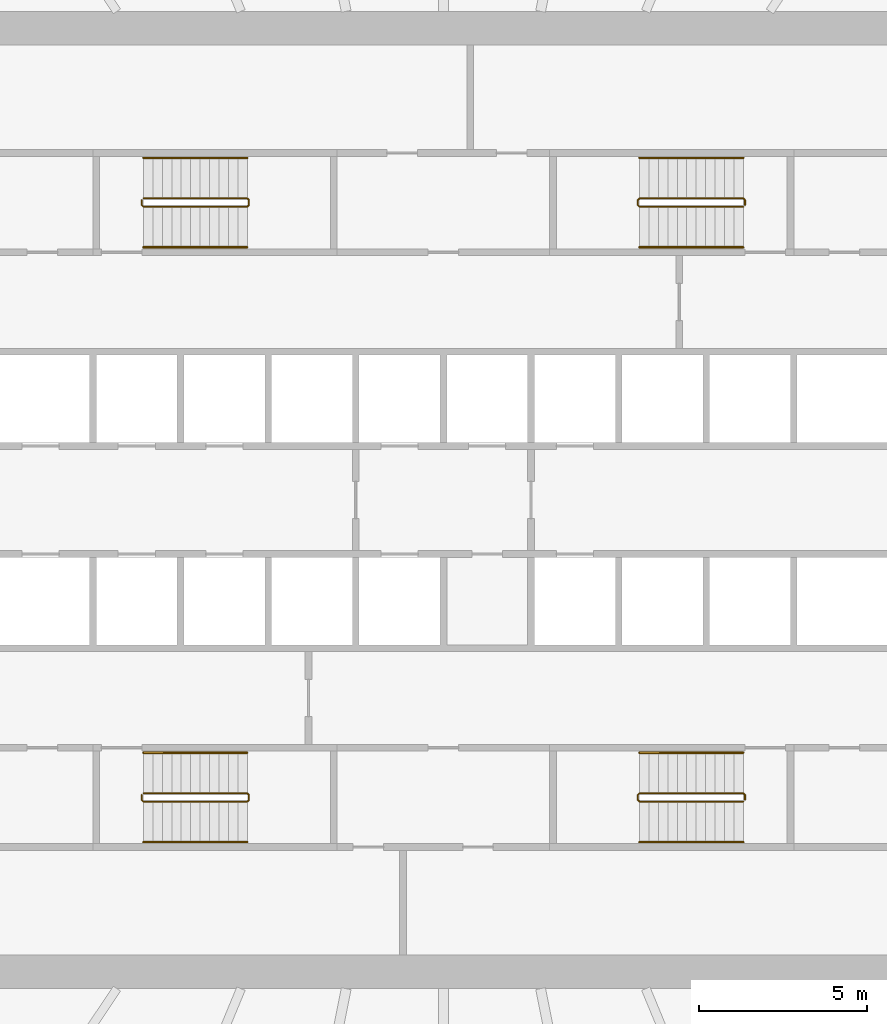
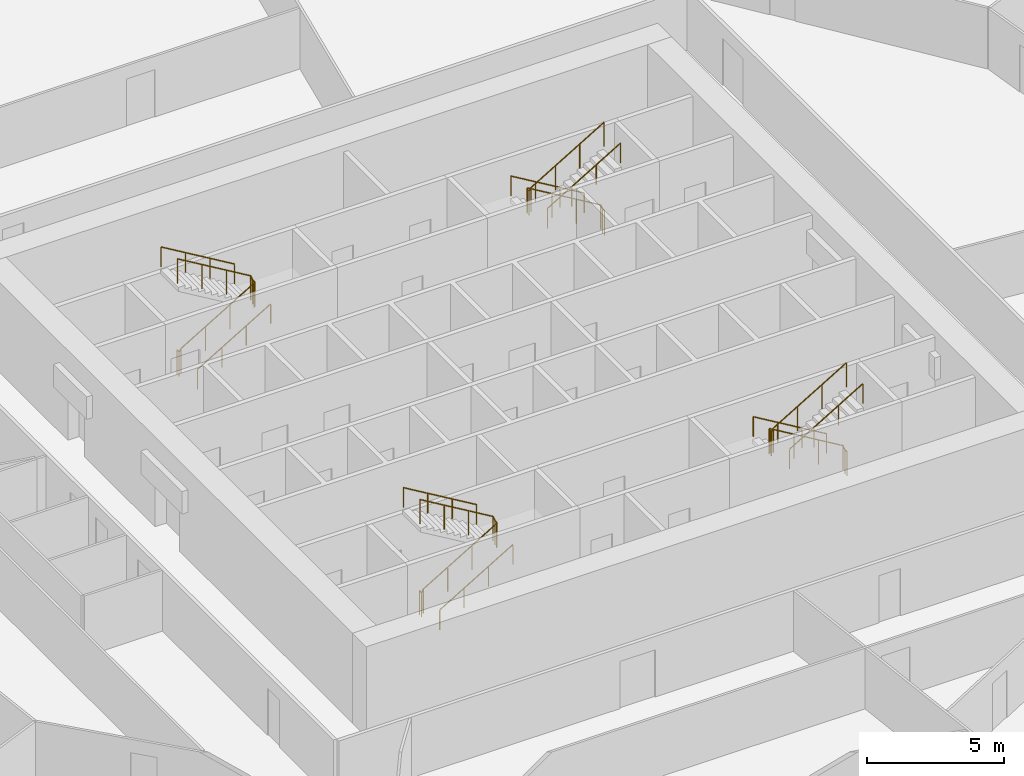
# One storey, part 9 of 9: 12 railings.
"""IFC4 building model written with IfcOpenShell, lengths in metres."""

from ifc_helpers import new_model, si_unit, direction, frame, origin, origin_2d, place, context, subcontext, project, spatial, circle, extrude, material, type_object, element, save


model = new_model("IFC4")

# Units and contexts
model_context = context("Model", 3, precision=1e-05, world=origin(), true_north=direction((0.0, 1.0)))
body_context = subcontext(model_context, "Body", "Model", "MODEL_VIEW")
ifc_project = project(units=[si_unit("LENGTHUNIT", "METRE"), si_unit("AREAUNIT", "SQUARE_METRE"), si_unit("VOLUMEUNIT", "CUBIC_METRE"), si_unit("PLANEANGLEUNIT", "RADIAN"), si_unit("MASSUNIT", "GRAM", prefix="KILO")], contexts=[model_context])

# Site, building, storey
site_placement = place(None, origin())
site = spatial("IfcSite", under=ifc_project, at=site_placement, CompositionType="ELEMENT")
building_placement = place(site_placement, origin())
building = spatial("IfcBuilding", under=site, at=building_placement, Name="Corvane Civic Tower", CompositionType="ELEMENT")
storey_placement = place(building_placement, frame((0.0, 0.0, 98.5)))
storey = spatial("IfcBuildingStorey", under=building, at=storey_placement, Name="L22", CompositionType="ELEMENT", Elevation=98.5)

# Railings
ifc_material_1 = material(Name="Steel ASTM A572 Gr 50", Category="steel")
railing_type_1 = type_object("IfcRailingType", Name="ST-GUARD-1100", PredefinedType="GUARDRAIL", material=ifc_material_1)
railing_1_placement = place(storey_placement, frame((8.949951171875, 8.75, 0.0)))
element("IfcRailing", 1, at=railing_1_placement, inside=storey, type_object=railing_type_1, Name="L22 ST1 stair guard 1", PredefinedType="GUARDRAIL", context=body_context, shape_type="SweptSolid", body=[
    extrude(circle(Radius=0.02392578125, at=origin_2d()), frame((0.0, 0.0, 1.076171875), z_axis=(0.0, 1.0, 0.0), x_axis=(-1.0, 0.0, 0.0)), (0.0, 0.0, 1.0), 0.14990234375),
    extrude(circle(Radius=0.02392578125, at=origin_2d()), frame((0.0, 0.14990234375, 1.076171875), z_axis=(-0.27628659633, 0.27628659633, 0.920506074601), x_axis=(-0.707106781187, -0.707106781187, 0.0)), (0.0, 0.0, 1.0), 0.18115234375),
    extrude(circle(Radius=0.02392578125, at=origin_2d()), frame((-0.050048828125, 0.199951171875, 1.24267578125), z_axis=(-0.859290745958, 0.0, 0.51148745235), x_axis=(0.0, -1.0, 0.0)), (0.0, 0.0, 1.0), 3.584228515625),
    extrude(circle(Radius=0.02392578125, at=origin_2d()), frame((-3.1298828125, 0.199951171875, 3.076171875), z_axis=(-0.707106781187, -0.707106781187, 0.0), x_axis=(0.707106781187, -0.707106781187, 0.0)), (0.0, 0.0, 1.0), 0.07080078125),
    extrude(circle(Radius=0.02392578125, at=origin_2d()), frame((-3.179931640625, 0.14990234375, 3.076171875), z_axis=(0.0, -1.0, 0.0), x_axis=(1.0, 0.0, 0.0)), (0.0, 0.0, 1.0), 0.14990234375),
    extrude(circle(Radius=0.02392578125, at=origin_2d()), frame((-3.179931640625, 0.0, 3.076171875), z_axis=(0.27628659633, -0.27628659633, 0.920506074601), x_axis=(0.707106781187, 0.707106781187, 0.0)), (0.0, 0.0, 1.0), 0.18115234375),
    extrude(circle(Radius=0.02392578125, at=origin_2d()), frame((-3.1298828125, -0.050048828125, 3.24267578125), z_axis=(0.859290745958, 0.0, 0.51148745235), x_axis=(0.0, 1.0, 0.0)), (0.0, 0.0, 1.0), 3.584228515625),
    extrude(circle(Radius=0.02099609375, at=origin_2d()), origin(), (0.0, 0.0, 1.0), 1.052001953125),
    extrude(circle(Radius=0.02099609375, at=origin_2d()), frame((0.0, 0.14990234375, 0.0)), (0.0, 0.0, 1.0), 1.052001953125),
    extrude(circle(Radius=0.02099609375, at=origin_2d()), frame((-0.050048828125, 0.199951171875, 0.166748046875)), (0.0, 0.0, 1.0), 1.052001953125),
    extrude(circle(Radius=0.02099609375, at=origin_2d()), frame((-1.07666015625, 0.199951171875, 0.77783203125)), (0.0, 0.0, 1.0), 1.052001953125),
    extrude(circle(Radius=0.02099609375, at=origin_2d()), frame((-2.103271484375, 0.199951171875, 1.388916015625)), (0.0, 0.0, 1.0), 1.052001953125),
    extrude(circle(Radius=0.02099609375, at=origin_2d()), frame((-3.1298828125, 0.199951171875, 2.0)), (0.0, 0.0, 1.0), 1.052001953125),
    extrude(circle(Radius=0.02099609375, at=origin_2d()), frame((-3.179931640625, 0.14990234375, 2.0)), (0.0, 0.0, 1.0), 1.052001953125),
    extrude(circle(Radius=0.02099609375, at=origin_2d()), frame((-3.179931640625, 0.0, 2.0)), (0.0, 0.0, 1.0), 1.052001953125),
    extrude(circle(Radius=0.02099609375, at=origin_2d()), frame((-3.1298828125, -0.050048828125, 2.166748046875)), (0.0, 0.0, 1.0), 1.052001953125),
    extrude(circle(Radius=0.02099609375, at=origin_2d()), frame((-2.103271484375, -0.050048828125, 2.77783203125)), (0.0, 0.0, 1.0), 1.052001953125),
    extrude(circle(Radius=0.02099609375, at=origin_2d()), frame((-1.07666015625, -0.050048828125, 3.388916015625)), (0.0, 0.0, 1.0), 1.052001953125),
    extrude(circle(Radius=0.02099609375, at=origin_2d()), frame((-0.050048828125, -0.050048828125, 4.0)), (0.0, 0.0, 1.0), 1.052001953125),
])
railing_2_placement = place(storey_placement, frame((8.949951171875, -8.89990234375, 0.0)))
element("IfcRailing", 2, at=railing_2_placement, inside=storey, type_object=railing_type_1, Name="L22 ST2 stair guard 1", PredefinedType="GUARDRAIL", context=body_context, shape_type="SweptSolid", body=[
    extrude(circle(Radius=0.02392578125, at=origin_2d()), frame((0.0, 0.0, 1.076171875), z_axis=(0.0, 1.0, 0.0), x_axis=(-1.0, 0.0, 0.0)), (0.0, 0.0, 1.0), 0.14990234375),
    extrude(circle(Radius=0.02392578125, at=origin_2d()), frame((0.0, 0.14990234375, 1.076171875), z_axis=(-0.27628659633, 0.27628659633, 0.920506074601), x_axis=(-0.707106781187, -0.707106781187, 0.0)), (0.0, 0.0, 1.0), 0.18115234375),
    extrude(circle(Radius=0.02392578125, at=origin_2d()), frame((-0.050048828125, 0.199951171875, 1.24267578125), z_axis=(-0.859290745958, 0.0, 0.51148745235), x_axis=(0.0, -1.0, 0.0)), (0.0, 0.0, 1.0), 3.584228515625),
    extrude(circle(Radius=0.02392578125, at=origin_2d()), frame((-3.1298828125, 0.199951171875, 3.076171875), z_axis=(-0.707106781187, -0.707106781187, 0.0), x_axis=(0.707106781187, -0.707106781187, 0.0)), (0.0, 0.0, 1.0), 0.07080078125),
    extrude(circle(Radius=0.02392578125, at=origin_2d()), frame((-3.179931640625, 0.14990234375, 3.076171875), z_axis=(0.0, -1.0, 0.0), x_axis=(1.0, 0.0, 0.0)), (0.0, 0.0, 1.0), 0.14990234375),
    extrude(circle(Radius=0.02392578125, at=origin_2d()), frame((-3.179931640625, 0.0, 3.076171875), z_axis=(0.27628659633, -0.27628659633, 0.920506074601), x_axis=(0.707106781187, 0.707106781187, 0.0)), (0.0, 0.0, 1.0), 0.18115234375),
    extrude(circle(Radius=0.02392578125, at=origin_2d()), frame((-3.1298828125, -0.050048828125, 3.24267578125), z_axis=(0.859290745958, 0.0, 0.51148745235), x_axis=(0.0, 1.0, 0.0)), (0.0, 0.0, 1.0), 3.584228515625),
    extrude(circle(Radius=0.02099609375, at=origin_2d()), origin(), (0.0, 0.0, 1.0), 1.052001953125),
    extrude(circle(Radius=0.02099609375, at=origin_2d()), frame((0.0, 0.14990234375, 0.0)), (0.0, 0.0, 1.0), 1.052001953125),
    extrude(circle(Radius=0.02099609375, at=origin_2d()), frame((-0.050048828125, 0.199951171875, 0.166748046875)), (0.0, 0.0, 1.0), 1.052001953125),
    extrude(circle(Radius=0.02099609375, at=origin_2d()), frame((-1.07666015625, 0.199951171875, 0.77783203125)), (0.0, 0.0, 1.0), 1.052001953125),
    extrude(circle(Radius=0.02099609375, at=origin_2d()), frame((-2.103271484375, 0.199951171875, 1.388916015625)), (0.0, 0.0, 1.0), 1.052001953125),
    extrude(circle(Radius=0.02099609375, at=origin_2d()), frame((-3.1298828125, 0.199951171875, 2.0)), (0.0, 0.0, 1.0), 1.052001953125),
    extrude(circle(Radius=0.02099609375, at=origin_2d()), frame((-3.179931640625, 0.14990234375, 2.0)), (0.0, 0.0, 1.0), 1.052001953125),
    extrude(circle(Radius=0.02099609375, at=origin_2d()), frame((-3.179931640625, 0.0, 2.0)), (0.0, 0.0, 1.0), 1.052001953125),
    extrude(circle(Radius=0.02099609375, at=origin_2d()), frame((-3.1298828125, -0.050048828125, 2.166748046875)), (0.0, 0.0, 1.0), 1.052001953125),
    extrude(circle(Radius=0.02099609375, at=origin_2d()), frame((-2.103271484375, -0.050048828125, 2.77783203125)), (0.0, 0.0, 1.0), 1.052001953125),
    extrude(circle(Radius=0.02099609375, at=origin_2d()), frame((-1.07666015625, -0.050048828125, 3.388916015625)), (0.0, 0.0, 1.0), 1.052001953125),
    extrude(circle(Radius=0.02099609375, at=origin_2d()), frame((-0.050048828125, -0.050048828125, 4.0)), (0.0, 0.0, 1.0), 1.052001953125),
])
railing_3_placement = place(storey_placement, frame((-8.949951171875, -8.75, 0.0)))
element("IfcRailing", 3, at=railing_3_placement, inside=storey, type_object=railing_type_1, Name="L22 ST3 stair guard 1", PredefinedType="GUARDRAIL", context=body_context, shape_type="SweptSolid", body=[
    extrude(circle(Radius=0.02392578125, at=origin_2d()), frame((0.0, 0.0, 1.076171875), z_axis=(0.0, -1.0, 0.0), x_axis=(1.0, 0.0, 0.0)), (0.0, 0.0, 1.0), 0.14990234375),
    extrude(circle(Radius=0.02392578125, at=origin_2d()), frame((0.0, -0.14990234375, 1.076171875), z_axis=(0.27628659633, -0.27628659633, 0.920506074601), x_axis=(0.707106781187, 0.707106781187, 0.0)), (0.0, 0.0, 1.0), 0.18115234375),
    extrude(circle(Radius=0.02392578125, at=origin_2d()), frame((0.050048828125, -0.199951171875, 1.24267578125), z_axis=(0.859290745958, 0.0, 0.51148745235), x_axis=(0.0, 1.0, 0.0)), (0.0, 0.0, 1.0), 3.584228515625),
    extrude(circle(Radius=0.02392578125, at=origin_2d()), frame((3.1298828125, -0.199951171875, 3.076171875), z_axis=(0.707106781187, 0.707106781187, 0.0), x_axis=(-0.707106781187, 0.707106781187, 0.0)), (0.0, 0.0, 1.0), 0.07080078125),
    extrude(circle(Radius=0.02392578125, at=origin_2d()), frame((3.179931640625, -0.14990234375, 3.076171875), z_axis=(0.0, 1.0, 0.0), x_axis=(-1.0, 0.0, 0.0)), (0.0, 0.0, 1.0), 0.14990234375),
    extrude(circle(Radius=0.02392578125, at=origin_2d()), frame((3.179931640625, 0.0, 3.076171875), z_axis=(-0.27628659633, 0.27628659633, 0.920506074601), x_axis=(-0.707106781187, -0.707106781187, 0.0)), (0.0, 0.0, 1.0), 0.18115234375),
    extrude(circle(Radius=0.02392578125, at=origin_2d()), frame((3.1298828125, 0.050048828125, 3.24267578125), z_axis=(-0.859290745958, 0.0, 0.51148745235), x_axis=(0.0, -1.0, 0.0)), (0.0, 0.0, 1.0), 3.584228515625),
    extrude(circle(Radius=0.02099609375, at=origin_2d()), origin(), (0.0, 0.0, 1.0), 1.052001953125),
    extrude(circle(Radius=0.02099609375, at=origin_2d()), frame((0.0, -0.14990234375, 0.0)), (0.0, 0.0, 1.0), 1.052001953125),
    extrude(circle(Radius=0.02099609375, at=origin_2d()), frame((0.050048828125, -0.199951171875, 0.166748046875)), (0.0, 0.0, 1.0), 1.052001953125),
    extrude(circle(Radius=0.02099609375, at=origin_2d()), frame((1.07666015625, -0.199951171875, 0.77783203125)), (0.0, 0.0, 1.0), 1.052001953125),
    extrude(circle(Radius=0.02099609375, at=origin_2d()), frame((2.103271484375, -0.199951171875, 1.388916015625)), (0.0, 0.0, 1.0), 1.052001953125),
    extrude(circle(Radius=0.02099609375, at=origin_2d()), frame((3.1298828125, -0.199951171875, 2.0)), (0.0, 0.0, 1.0), 1.052001953125),
    extrude(circle(Radius=0.02099609375, at=origin_2d()), frame((3.179931640625, -0.14990234375, 2.0)), (0.0, 0.0, 1.0), 1.052001953125),
    extrude(circle(Radius=0.02099609375, at=origin_2d()), frame((3.179931640625, 0.0, 2.0)), (0.0, 0.0, 1.0), 1.052001953125),
    extrude(circle(Radius=0.02099609375, at=origin_2d()), frame((3.1298828125, 0.050048828125, 2.166748046875)), (0.0, 0.0, 1.0), 1.052001953125),
    extrude(circle(Radius=0.02099609375, at=origin_2d()), frame((2.103271484375, 0.050048828125, 2.77783203125)), (0.0, 0.0, 1.0), 1.052001953125),
    extrude(circle(Radius=0.02099609375, at=origin_2d()), frame((1.07666015625, 0.050048828125, 3.388916015625)), (0.0, 0.0, 1.0), 1.052001953125),
    extrude(circle(Radius=0.02099609375, at=origin_2d()), frame((0.050048828125, 0.050048828125, 4.0)), (0.0, 0.0, 1.0), 1.052001953125),
])
railing_4_placement = place(storey_placement, frame((-8.949951171875, 8.89990234375, 0.0)))
element("IfcRailing", 4, at=railing_4_placement, inside=storey, type_object=railing_type_1, Name="L22 ST4 stair guard 1", PredefinedType="GUARDRAIL", context=body_context, shape_type="SweptSolid", body=[
    extrude(circle(Radius=0.02392578125, at=origin_2d()), frame((0.0, 0.0, 1.076171875), z_axis=(0.0, -1.0, 0.0), x_axis=(1.0, 0.0, 0.0)), (0.0, 0.0, 1.0), 0.14990234375),
    extrude(circle(Radius=0.02392578125, at=origin_2d()), frame((0.0, -0.14990234375, 1.076171875), z_axis=(0.27628659633, -0.27628659633, 0.920506074601), x_axis=(0.707106781187, 0.707106781187, 0.0)), (0.0, 0.0, 1.0), 0.18115234375),
    extrude(circle(Radius=0.02392578125, at=origin_2d()), frame((0.050048828125, -0.199951171875, 1.24267578125), z_axis=(0.859290745958, 0.0, 0.51148745235), x_axis=(0.0, 1.0, 0.0)), (0.0, 0.0, 1.0), 3.584228515625),
    extrude(circle(Radius=0.02392578125, at=origin_2d()), frame((3.1298828125, -0.199951171875, 3.076171875), z_axis=(0.707106781187, 0.707106781187, 0.0), x_axis=(-0.707106781187, 0.707106781187, 0.0)), (0.0, 0.0, 1.0), 0.07080078125),
    extrude(circle(Radius=0.02392578125, at=origin_2d()), frame((3.179931640625, -0.14990234375, 3.076171875), z_axis=(0.0, 1.0, 0.0), x_axis=(-1.0, 0.0, 0.0)), (0.0, 0.0, 1.0), 0.14990234375),
    extrude(circle(Radius=0.02392578125, at=origin_2d()), frame((3.179931640625, 0.0, 3.076171875), z_axis=(-0.27628659633, 0.27628659633, 0.920506074601), x_axis=(-0.707106781187, -0.707106781187, 0.0)), (0.0, 0.0, 1.0), 0.18115234375),
    extrude(circle(Radius=0.02392578125, at=origin_2d()), frame((3.1298828125, 0.050048828125, 3.24267578125), z_axis=(-0.859290745958, 0.0, 0.51148745235), x_axis=(0.0, -1.0, 0.0)), (0.0, 0.0, 1.0), 3.584228515625),
    extrude(circle(Radius=0.02099609375, at=origin_2d()), origin(), (0.0, 0.0, 1.0), 1.052001953125),
    extrude(circle(Radius=0.02099609375, at=origin_2d()), frame((0.0, -0.14990234375, 0.0)), (0.0, 0.0, 1.0), 1.052001953125),
    extrude(circle(Radius=0.02099609375, at=origin_2d()), frame((0.050048828125, -0.199951171875, 0.166748046875)), (0.0, 0.0, 1.0), 1.052001953125),
    extrude(circle(Radius=0.02099609375, at=origin_2d()), frame((1.07666015625, -0.199951171875, 0.77783203125)), (0.0, 0.0, 1.0), 1.052001953125),
    extrude(circle(Radius=0.02099609375, at=origin_2d()), frame((2.103271484375, -0.199951171875, 1.388916015625)), (0.0, 0.0, 1.0), 1.052001953125),
    extrude(circle(Radius=0.02099609375, at=origin_2d()), frame((3.1298828125, -0.199951171875, 2.0)), (0.0, 0.0, 1.0), 1.052001953125),
    extrude(circle(Radius=0.02099609375, at=origin_2d()), frame((3.179931640625, -0.14990234375, 2.0)), (0.0, 0.0, 1.0), 1.052001953125),
    extrude(circle(Radius=0.02099609375, at=origin_2d()), frame((3.179931640625, 0.0, 2.0)), (0.0, 0.0, 1.0), 1.052001953125),
    extrude(circle(Radius=0.02099609375, at=origin_2d()), frame((3.1298828125, 0.050048828125, 2.166748046875)), (0.0, 0.0, 1.0), 1.052001953125),
    extrude(circle(Radius=0.02099609375, at=origin_2d()), frame((2.103271484375, 0.050048828125, 2.77783203125)), (0.0, 0.0, 1.0), 1.052001953125),
    extrude(circle(Radius=0.02099609375, at=origin_2d()), frame((1.07666015625, 0.050048828125, 3.388916015625)), (0.0, 0.0, 1.0), 1.052001953125),
    extrude(circle(Radius=0.02099609375, at=origin_2d()), frame((0.050048828125, 0.050048828125, 4.0)), (0.0, 0.0, 1.0), 1.052001953125),
])
ifc_material_2 = material(Name="Steel ASTM A572 Gr 50", Category="steel")
railing_type_2 = type_object("IfcRailingType", Name="ST-HANDRAIL-900", PredefinedType="HANDRAIL", material=ifc_material_2)
railing_5_placement = place(storey_placement, frame((8.89990234375, 10.14990234375, 0.166748046875)))
element("IfcRailing", 5, at=railing_5_placement, inside=storey, type_object=railing_type_2, Name="L22 ST1 stair handrail 1", PredefinedType="HANDRAIL", context=body_context, shape_type="SweptSolid", body=[
    extrude(circle(Radius=0.02392578125, at=origin_2d()), frame((0.0, 0.0, 0.8759765625), z_axis=(-0.859290745958, 0.0, 0.51148745235), x_axis=(0.0, -1.0, 0.0)), (0.0, 0.0, 1.0), 3.584228515625),
    extrude(circle(Radius=0.02099609375, at=origin_2d()), origin(), (0.0, 0.0, 1.0), 0.851806640625),
    extrude(circle(Radius=0.02099609375, at=origin_2d()), frame((-1.026611328125, 0.0, 0.611083984375)), (0.0, 0.0, 1.0), 0.851806640625),
    extrude(circle(Radius=0.02099609375, at=origin_2d()), frame((-2.05322265625, 0.0, 1.22216796875)), (0.0, 0.0, 1.0), 0.851806640625),
    extrude(circle(Radius=0.02099609375, at=origin_2d()), frame((-3.079833984375, 0.0, 1.833251953125)), (0.0, 0.0, 1.0), 0.851806640625),
])
railing_6_placement = place(storey_placement, frame((5.820068359375, 7.5, 2.166748046875)))
element("IfcRailing", 6, at=railing_6_placement, inside=storey, type_object=railing_type_2, Name="L22 ST1 stair handrail 2", PredefinedType="HANDRAIL", context=body_context, shape_type="SweptSolid", body=[
    extrude(circle(Radius=0.02392578125, at=origin_2d()), frame((0.0, 0.0, 0.8759765625), z_axis=(0.859290745958, 0.0, 0.51148745235), x_axis=(0.0, 1.0, 0.0)), (0.0, 0.0, 1.0), 3.584228515625),
    extrude(circle(Radius=0.02099609375, at=origin_2d()), origin(), (0.0, 0.0, 1.0), 0.851806640625),
    extrude(circle(Radius=0.02099609375, at=origin_2d()), frame((1.026611328125, 0.0, 0.611083984375)), (0.0, 0.0, 1.0), 0.851806640625),
    extrude(circle(Radius=0.02099609375, at=origin_2d()), frame((2.05322265625, 0.0, 1.22216796875)), (0.0, 0.0, 1.0), 0.851806640625),
    extrude(circle(Radius=0.02099609375, at=origin_2d()), frame((3.079833984375, 0.0, 1.833251953125)), (0.0, 0.0, 1.0), 0.851806640625),
])
railing_7_placement = place(storey_placement, frame((8.89990234375, -7.5, 0.166748046875)))
element("IfcRailing", 7, at=railing_7_placement, inside=storey, type_object=railing_type_2, Name="L22 ST2 stair handrail 1", PredefinedType="HANDRAIL", context=body_context, shape_type="SweptSolid", body=[
    extrude(circle(Radius=0.02392578125, at=origin_2d()), frame((0.0, 0.0, 0.8759765625), z_axis=(-0.859290745958, 0.0, 0.51148745235), x_axis=(0.0, -1.0, 0.0)), (0.0, 0.0, 1.0), 3.584228515625),
    extrude(circle(Radius=0.02099609375, at=origin_2d()), origin(), (0.0, 0.0, 1.0), 0.851806640625),
    extrude(circle(Radius=0.02099609375, at=origin_2d()), frame((-1.026611328125, 0.0, 0.611083984375)), (0.0, 0.0, 1.0), 0.851806640625),
    extrude(circle(Radius=0.02099609375, at=origin_2d()), frame((-2.05322265625, 0.0, 1.22216796875)), (0.0, 0.0, 1.0), 0.851806640625),
    extrude(circle(Radius=0.02099609375, at=origin_2d()), frame((-3.079833984375, 0.0, 1.833251953125)), (0.0, 0.0, 1.0), 0.851806640625),
])
for number, where, name in (
    (8, (5.820068359375, -10.14990234375, 2.166748046875), "L22 ST2 stair handrail 2"),
    (9, (-8.89990234375, -10.14990234375, 0.166748046875), "L22 ST3 stair handrail 1"),
):
    element("IfcRailing", number, at=place(storey_placement, frame(where)), inside=storey, type_object=railing_type_2, Name=name, PredefinedType="HANDRAIL", context=body_context, shape_type="SweptSolid", body=[
        extrude(circle(Radius=0.02392578125, at=origin_2d()), frame((0.0, 0.0, 0.8759765625), z_axis=(0.859290745958, 0.0, 0.51148745235), x_axis=(0.0, 1.0, 0.0)), (0.0, 0.0, 1.0), 3.584228515625),
        extrude(circle(Radius=0.02099609375, at=origin_2d()), origin(), (0.0, 0.0, 1.0), 0.851806640625),
        extrude(circle(Radius=0.02099609375, at=origin_2d()), frame((1.026611328125, 0.0, 0.611083984375)), (0.0, 0.0, 1.0), 0.851806640625),
        extrude(circle(Radius=0.02099609375, at=origin_2d()), frame((2.05322265625, 0.0, 1.22216796875)), (0.0, 0.0, 1.0), 0.851806640625),
        extrude(circle(Radius=0.02099609375, at=origin_2d()), frame((3.079833984375, 0.0, 1.833251953125)), (0.0, 0.0, 1.0), 0.851806640625),
    ])
railing_8_placement = place(storey_placement, frame((-5.820068359375, -7.5, 2.166748046875)))
element("IfcRailing", 10, at=railing_8_placement, inside=storey, type_object=railing_type_2, Name="L22 ST3 stair handrail 2", PredefinedType="HANDRAIL", context=body_context, shape_type="SweptSolid", body=[
    extrude(circle(Radius=0.02392578125, at=origin_2d()), frame((0.0, 0.0, 0.8759765625), z_axis=(-0.859290745958, 0.0, 0.51148745235), x_axis=(0.0, -1.0, 0.0)), (0.0, 0.0, 1.0), 3.584228515625),
    extrude(circle(Radius=0.02099609375, at=origin_2d()), origin(), (0.0, 0.0, 1.0), 0.851806640625),
    extrude(circle(Radius=0.02099609375, at=origin_2d()), frame((-1.026611328125, 0.0, 0.611083984375)), (0.0, 0.0, 1.0), 0.851806640625),
    extrude(circle(Radius=0.02099609375, at=origin_2d()), frame((-2.05322265625, 0.0, 1.22216796875)), (0.0, 0.0, 1.0), 0.851806640625),
    extrude(circle(Radius=0.02099609375, at=origin_2d()), frame((-3.079833984375, 0.0, 1.833251953125)), (0.0, 0.0, 1.0), 0.851806640625),
])
railing_9_placement = place(storey_placement, frame((-8.89990234375, 7.5, 0.166748046875)))
element("IfcRailing", 11, at=railing_9_placement, inside=storey, type_object=railing_type_2, Name="L22 ST4 stair handrail 1", PredefinedType="HANDRAIL", context=body_context, shape_type="SweptSolid", body=[
    extrude(circle(Radius=0.02392578125, at=origin_2d()), frame((0.0, 0.0, 0.8759765625), z_axis=(0.859290745958, 0.0, 0.51148745235), x_axis=(0.0, 1.0, 0.0)), (0.0, 0.0, 1.0), 3.584228515625),
    extrude(circle(Radius=0.02099609375, at=origin_2d()), origin(), (0.0, 0.0, 1.0), 0.851806640625),
    extrude(circle(Radius=0.02099609375, at=origin_2d()), frame((1.026611328125, 0.0, 0.611083984375)), (0.0, 0.0, 1.0), 0.851806640625),
    extrude(circle(Radius=0.02099609375, at=origin_2d()), frame((2.05322265625, 0.0, 1.22216796875)), (0.0, 0.0, 1.0), 0.851806640625),
    extrude(circle(Radius=0.02099609375, at=origin_2d()), frame((3.079833984375, 0.0, 1.833251953125)), (0.0, 0.0, 1.0), 0.851806640625),
])
railing_10_placement = place(storey_placement, frame((-5.820068359375, 10.14990234375, 2.166748046875)))
element("IfcRailing", 12, at=railing_10_placement, inside=storey, type_object=railing_type_2, Name="L22 ST4 stair handrail 2", PredefinedType="HANDRAIL", context=body_context, shape_type="SweptSolid", body=[
    extrude(circle(Radius=0.02392578125, at=origin_2d()), frame((0.0, 0.0, 0.8759765625), z_axis=(-0.859290745958, 0.0, 0.51148745235), x_axis=(0.0, -1.0, 0.0)), (0.0, 0.0, 1.0), 3.584228515625),
    extrude(circle(Radius=0.02099609375, at=origin_2d()), origin(), (0.0, 0.0, 1.0), 0.851806640625),
    extrude(circle(Radius=0.02099609375, at=origin_2d()), frame((-1.026611328125, 0.0, 0.611083984375)), (0.0, 0.0, 1.0), 0.851806640625),
    extrude(circle(Radius=0.02099609375, at=origin_2d()), frame((-2.05322265625, 0.0, 1.22216796875)), (0.0, 0.0, 1.0), 0.851806640625),
    extrude(circle(Radius=0.02099609375, at=origin_2d()), frame((-3.079833984375, 0.0, 1.833251953125)), (0.0, 0.0, 1.0), 0.851806640625),
])

save(model, "model.ifc")
